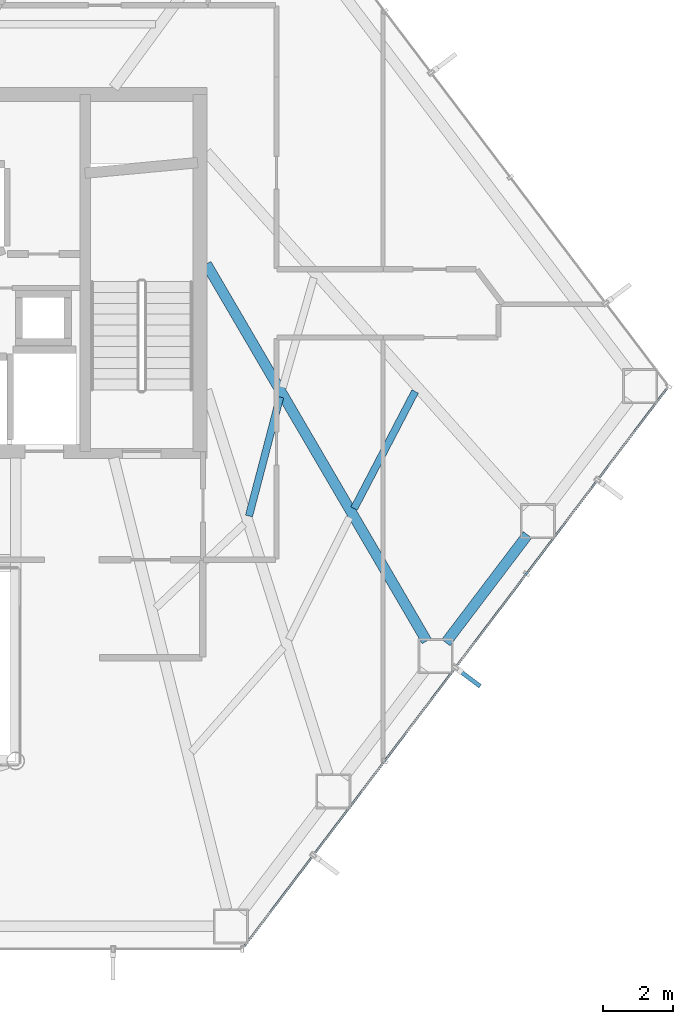
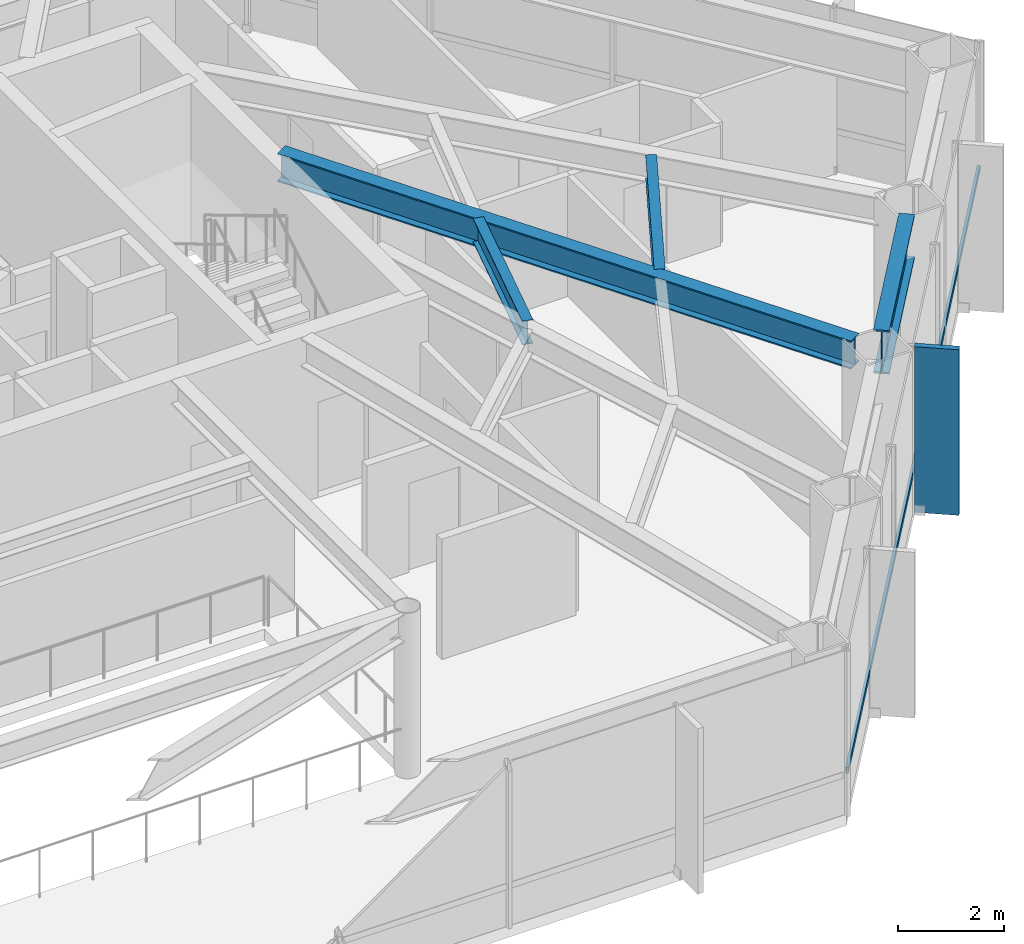
# One storey, part 17 of 25: 4 beams, 2 members, 1 element without a shape of its own.
"""IFC4 building model written with IfcOpenShell, lengths in metres."""

from ifc_helpers import new_model, si_unit, direction, frame, origin, origin_2d, place, context, subcontext, project, spatial, rectangle, hollow_rectangle, i_section, extrude, material, layer, layer_set, material_profile, profile_set, type_object, element, aggregate, save


model = new_model("IFC4")

# Units and contexts
model_context = context("Model", 3, precision=1e-05, world=origin(), true_north=direction((0.0, 1.0)))
body_context = subcontext(model_context, "Body", "Model", "MODEL_VIEW")
ifc_project = project(units=[si_unit("LENGTHUNIT", "METRE"), si_unit("AREAUNIT", "SQUARE_METRE"), si_unit("VOLUMEUNIT", "CUBIC_METRE"), si_unit("PLANEANGLEUNIT", "RADIAN"), si_unit("MASSUNIT", "GRAM", prefix="KILO")], contexts=[model_context])

# Site, building, storey
site_placement = place(None, origin())
site = spatial("IfcSite", under=ifc_project, at=site_placement, CompositionType="ELEMENT")
building_placement = place(site_placement, origin())
building = spatial("IfcBuilding", under=site, at=building_placement, Name="Zarrinselat Tower", CompositionType="ELEMENT")
storey_placement = place(building_placement, frame((0.0, 0.0, 43.860107421875)))
storey = spatial("IfcBuildingStorey", under=building, at=storey_placement, Name="L10", CompositionType="ELEMENT", Elevation=43.860107421875)

# Beams
ifc_material_1 = material(Name="Steel S355J2", Category="steel")
ifc_material_profile_1 = material_profile(ifc_material_1, i_section(OverallWidth=0.300048828125, OverallDepth=0.64990234375, WebThickness=0.01611328125, FlangeThickness=0.031005859375, at=origin_2d()), Name="HEB 650")
ifc_profile_set_1 = profile_set([ifc_material_profile_1], Name="Steel S355J2")
beam_type_1 = type_object("IfcBeamType", Name="BM-HEB650", PredefinedType="BEAM", material=ifc_profile_set_1)
beam_1_placement = place(storey_placement, frame((48.449951171875, 38.60009765625, 3.494873046875), z_axis=(0.504515558764, -0.86340260074, 0.0), x_axis=(0.86340260074, 0.504515558764, 0.0)))
element("IfcBeam", 1, at=beam_1_placement, inside=storey, type_object=beam_type_1, Name="L10 Radial Primary Girder RG13", PredefinedType="BEAM", context=body_context, shape_type="SweptSolid", body=[
    extrude(i_section(OverallWidth=0.300048828125, OverallDepth=0.64990234375, WebThickness=0.01611328125, FlangeThickness=0.031005859375, at=origin_2d()), origin(), (0.0, 0.0, 1.0), 12.4794921875),
])
ifc_material_2 = material(Name="Steel S460M", Category="steel")
ifc_material_profile_2 = material_profile(ifc_material_2, i_section(OverallWidth=0.302001953125, OverallDepth=1.008056640625, WebThickness=0.02099609375, FlangeThickness=0.0400390625, at=origin_2d()), Name="HEM 1000")
ifc_profile_set_2 = profile_set([ifc_material_profile_2], Name="Steel S460M")
beam_type_2 = type_object("IfcBeamType", Name="BM-HEM1000", PredefinedType="BEAM", material=ifc_profile_set_2)
beam_2_placement = place(storey_placement, frame((55.2939453125, 27.781005859375, 3.31591796875), z_axis=(0.603852824523, 0.79709583258, 0.0), x_axis=(-0.79709583258, 0.603852824523, 0.0)))
element("IfcBeam", 2, at=beam_2_placement, inside=storey, type_object=beam_type_2, Name="L10 Perimeter Spandrel Girder SP13", PredefinedType="BEAM", context=body_context, shape_type="SweptSolid", body=[
    extrude(i_section(OverallWidth=0.302001953125, OverallDepth=1.008056640625, WebThickness=0.02099609375, FlangeThickness=0.0400390625, at=origin_2d()), origin(), (0.0, 0.0, 1.0), 3.865966796875),
])
ifc_material_3 = material(Name="Steel S355J2", Category="steel")
ifc_material_profile_3 = material_profile(ifc_material_3, i_section(OverallWidth=0.2099609375, OverallDepth=0.550048828125, WebThickness=0.010986328125, FlangeThickness=0.01708984375, at=origin_2d()), Name="IPE 550")
ifc_profile_set_3 = profile_set([ifc_material_profile_3], Name="Steel S355J2")
beam_type_3 = type_object("IfcBeamType", Name="BM-IPE550", PredefinedType="JOIST", material=ifc_profile_set_3)
beam_3_placement = place(storey_placement, frame((49.66650390625, 31.399169921875, 3.544921875), z_axis=(0.252814770842, 0.967514698412, 0.0), x_axis=(-0.967514698412, 0.252814770842, 0.0)))
element("IfcBeam", 3, at=beam_3_placement, inside=storey, type_object=beam_type_3, Name="L10 Composite Floor Joist 4-2", PredefinedType="JOIST", context=body_context, shape_type="SweptSolid", body=[
    extrude(i_section(OverallWidth=0.2099609375, OverallDepth=0.550048828125, WebThickness=0.010986328125, FlangeThickness=0.01708984375, at=origin_2d()), origin(), (0.0, 0.0, 1.0), 3.51611328125),
])
beam_4_placement = place(storey_placement, frame((52.670166015625, 31.61279296875, 3.544921875), z_axis=(0.46245993142, 0.886640181715, 0.0), x_axis=(-0.886640181715, 0.46245993142, 0.0)))
element("IfcBeam", 4, at=beam_4_placement, inside=storey, type_object=beam_type_3, Name="L10 Composite Floor Joist 5-1", PredefinedType="JOIST", context=body_context, shape_type="SweptSolid", body=[
    extrude(i_section(OverallWidth=0.2099609375, OverallDepth=0.550048828125, WebThickness=0.010986328125, FlangeThickness=0.01708984375, at=origin_2d()), origin(), (0.0, 0.0, 1.0), 3.775634765625),
])

# Curtain wall, members
ifc_material_4 = material(Name="Extruded Aluminium Alloy EN AW-6063 T6", Category="aluminium")
ifc_layer = layer(ifc_material_4, 0.18505859375)
ifc_layer_set = layer_set([ifc_layer], Name="Extruded Aluminium Alloy EN AW-6063 T6")
curtain_wall_type = type_object("IfcCurtainWallType", Name="CWS-OFF", PredefinedType="NOTDEFINED", material=ifc_layer_set)
curtain_wall_placement = place(storey_placement, origin())
curtain_wall = element("IfcCurtainWall", 5, at=curtain_wall_placement, inside=storey, type_object=curtain_wall_type, Name="L10 Unitised Curtain Wall CW-L10-E05", PredefinedType="NOTDEFINED")
ifc_material_5 = material(Name="Extruded Aluminium Alloy EN AW-6063 T6", Category="aluminium")
ifc_material_profile_4 = material_profile(ifc_material_5, hollow_rectangle(XDim=0.06005859375, YDim=0.139892578125, WallThickness=0.00390625, at=origin_2d()), Name="RHS 140x60x4")
ifc_profile_set_4 = profile_set([ifc_material_profile_4], Name="Extruded Aluminium Alloy EN AW-6063 T6")
member_type_1 = type_object("IfcMemberType", Name="MEM-CW-TRN", PredefinedType="USERDEFINED", material=ifc_profile_set_4)
member_1_placement = place(storey_placement, frame((49.52880859375, 19.094482421875, 0.949951171875), z_axis=(0.603863327484, 0.797087875783, 0.0), x_axis=(-0.797087875783, 0.603863327484, 0.0)))
member_1 = element("IfcMember", 6, at=member_1_placement, type_object=member_type_1, Name="CW-L10-E05 Transom 1", ObjectType="TRANSOM", PredefinedType="USERDEFINED", context=body_context, shape_type="SweptSolid", body=[
    extrude(hollow_rectangle(XDim=0.06005859375, YDim=0.139892578125, WallThickness=0.00390625, at=origin_2d()), origin(), (0.0, 0.0, 1.0), 20.00390625),
])
ifc_material_6 = material(Name="Honed Cream Travertine Stone", Category="masonry")
ifc_material_profile_5 = material_profile(ifc_material_6, rectangle(XDim=0.1201171875, YDim=0.85009765625, at=origin_2d()), Name="FIN 850x120")
ifc_profile_set_5 = profile_set([ifc_material_profile_5], Name="Honed Cream Travertine Stone")
member_type_2 = type_object("IfcMemberType", Name="MEM-STONE-FIN", PredefinedType="USERDEFINED", material=ifc_profile_set_5)
member_2_placement = place(storey_placement, frame((55.935302734375, 26.7890625, 0.0), z_axis=(0.0, 0.0, 1.0), x_axis=(-0.603859118859, -0.797091064164, 0.0)))
member_2 = element("IfcMember", 7, at=member_2_placement, type_object=member_type_2, Name="L10 Stone Shading Fin CW-L10-E05-03", ObjectType="FIN", PredefinedType="USERDEFINED", context=body_context, shape_type="SweptSolid", body=[
    extrude(rectangle(XDim=0.1201171875, YDim=0.85009765625, at=origin_2d()), origin(), (0.0, 0.0, 1.0), 3.81982421875),
])
aggregate(curtain_wall, [member_2, member_1])

save(model, "model.ifc")
